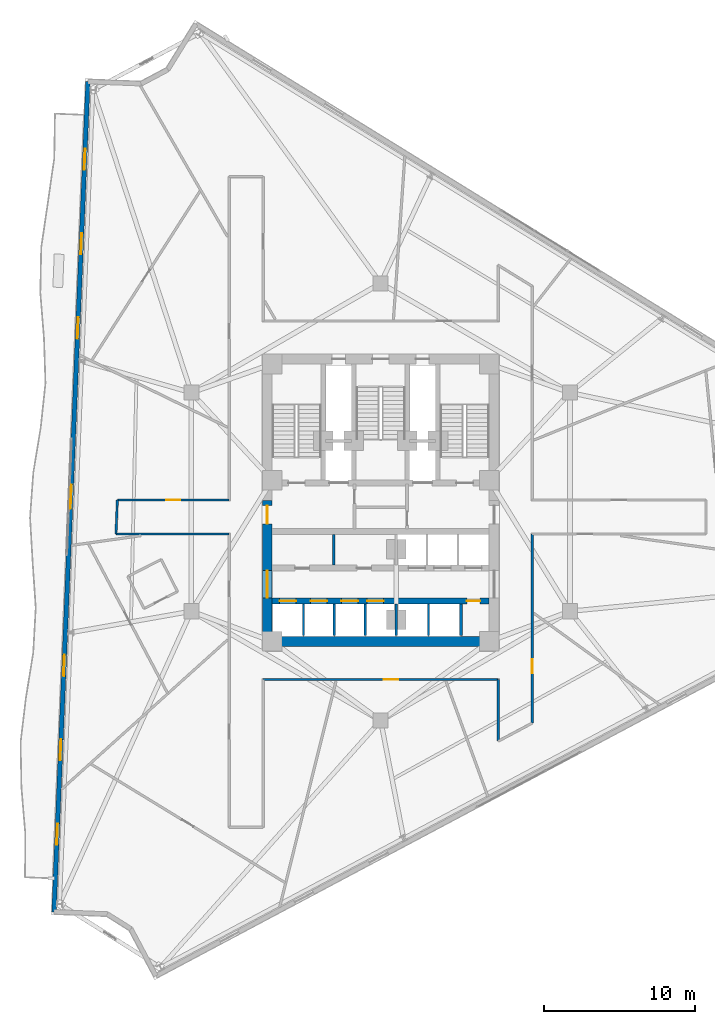
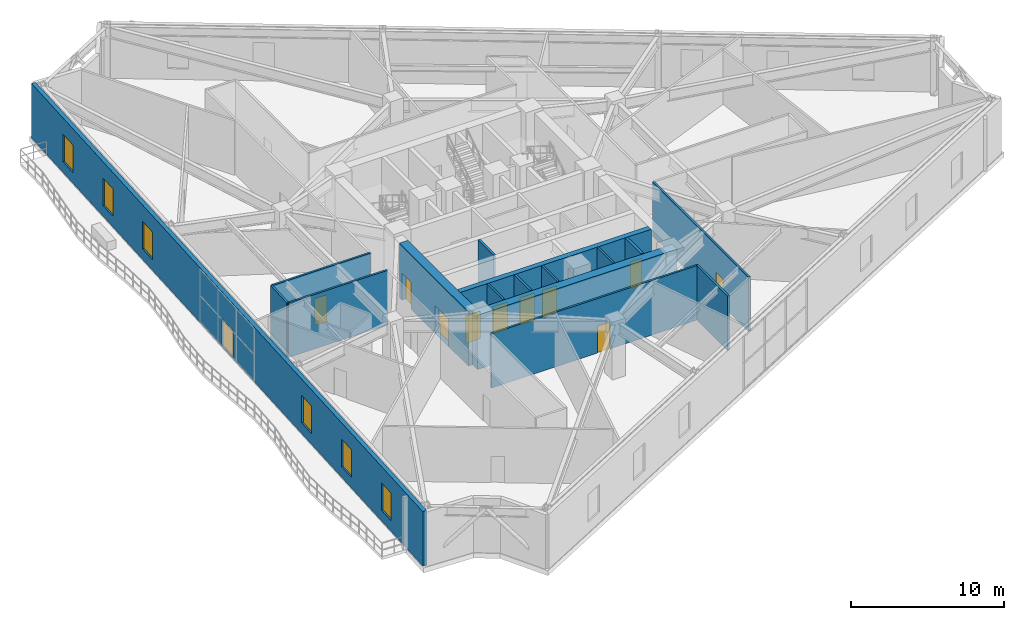
# One storey, part 17 of 22: 17 walls, 11 doors, 6 windows, 17 openings.
"""IFC4 building model written with IfcOpenShell, lengths in metres."""

from ifc_helpers import new_model, si_unit, direction, frame, frame_2d, origin, place, context, subcontext, project, spatial, rectangle, extrude, material, layer, layer_set, type_object, element, fill, save


model = new_model("IFC4")

# Units and contexts
model_context = context("Model", 3, precision=1e-05, world=origin(), true_north=direction((0.0, 1.0)))
body_context = subcontext(model_context, "Body", "Model", "MODEL_VIEW")
ifc_project = project(units=[si_unit("LENGTHUNIT", "METRE"), si_unit("AREAUNIT", "SQUARE_METRE"), si_unit("VOLUMEUNIT", "CUBIC_METRE"), si_unit("PLANEANGLEUNIT", "RADIAN"), si_unit("MASSUNIT", "GRAM", prefix="KILO")], contexts=[model_context])

# Site, building, storey
site_placement = place(None, origin())
site = spatial("IfcSite", under=ifc_project, at=site_placement, CompositionType="ELEMENT")
building_placement = place(site_placement, origin())
building = spatial("IfcBuilding", under=site, at=building_placement, Name="Apsidion Concourse Tower", CompositionType="ELEMENT")
storey_placement = place(building_placement, frame((0.0, 0.0, 160.89990234375)))
storey = spatial("IfcBuildingStorey", under=building, at=storey_placement, Name="L37", CompositionType="ELEMENT", Elevation=160.89990234375)

# Wall, openings, door, windows
ifc_material_1 = material(Name="Precast concrete C40/50", Category="concrete")
ifc_layer_1 = layer(ifc_material_1, 0.300048828125)
ifc_layer_set_1 = layer_set([ifc_layer_1], Name="Precast concrete C40/50")
wall_type_1 = type_object("IfcWallType", Name="WL-EXT-300", PredefinedType="STANDARD", material=ifc_layer_set_1)
wall_1_placement = place(storey_placement, frame((-21.66748046875, -27.184326171875, 0.0), z_axis=(0.0, 0.0, 1.0), x_axis=(0.040813869681, 0.999166766882, 0.0)))
wall_1 = element("IfcWall", 1, at=wall_1_placement, inside=storey, type_object=wall_type_1, Name="L37 Precast Stone Facade Wall 09", PredefinedType="STANDARD", context=body_context, shape_type="SweptSolid", body=[
    extrude(rectangle(XDim=55.1103515625, YDim=0.300048828125, at=frame_2d((27.55517578125, 0.0))), origin(), (0.0, 0.0, 1.0), 4.35009765625),
])
opening_1_placement = place(wall_1_placement, frame((26.75537109375, 0.0, 0.0)))
opening_1 = element("IfcOpeningElement", 2, at=opening_1_placement, cuts=wall_1, Name="Opening D-T2D", PredefinedType="OPENING", context=body_context, shape_type="SweptSolid", body=[
    extrude(rectangle(XDim=1.60009765625, YDim=2.199951171875, at=frame_2d((0.800048828125, 1.10009765625))), frame((0.0, 0.16015625, 0.0), z_axis=(0.0, -1.0, 0.0), x_axis=(1.0, 0.0, 0.0)), (0.0, 0.0, 1.0), 0.320068359375),
])
opening_2_placement = place(wall_1_placement, frame((4.455322265625, 0.0, 0.85009765625)))
opening_2 = element("IfcOpeningElement", 3, at=opening_2_placement, cuts=wall_1, Name="Opening WN-05", PredefinedType="OPENING", context=body_context, shape_type="SweptSolid", body=[
    extrude(rectangle(XDim=1.39990234375, YDim=2.199951171875, at=frame_2d((0.699951171875, 1.10009765625))), frame((0.0, 0.16015625, 0.0), z_axis=(0.0, -1.0, 0.0), x_axis=(1.0, 0.0, 0.0)), (0.0, 0.0, 1.0), 0.320068359375),
])
opening_3_placement = place(wall_1_placement, frame((10.055419921875, 0.0, 0.85009765625)))
opening_3 = element("IfcOpeningElement", 4, at=opening_3_placement, cuts=wall_1, Name="Opening WN-05", PredefinedType="OPENING", context=body_context, shape_type="SweptSolid", body=[
    extrude(rectangle(XDim=1.39990234375, YDim=2.199951171875, at=frame_2d((0.699951171875, 1.10009765625))), frame((0.0, 0.16015625, 0.0), z_axis=(0.0, -1.0, 0.0), x_axis=(1.0, 0.0, 0.0)), (0.0, 0.0, 1.0), 0.320068359375),
])
opening_4_placement = place(wall_1_placement, frame((15.6552734375, 0.0, 0.85009765625)))
opening_4 = element("IfcOpeningElement", 5, at=opening_4_placement, cuts=wall_1, Name="Opening WN-05", PredefinedType="OPENING", context=body_context, shape_type="SweptSolid", body=[
    extrude(rectangle(XDim=1.39990234375, YDim=2.199951171875, at=frame_2d((0.699951171875, 1.10009765625))), frame((0.0, 0.16015625, 0.0), z_axis=(0.0, -1.0, 0.0), x_axis=(1.0, 0.0, 0.0)), (0.0, 0.0, 1.0), 0.320068359375),
])
opening_5_placement = place(wall_1_placement, frame((38.055419921875, 0.0, 0.85009765625)))
opening_5 = element("IfcOpeningElement", 6, at=opening_5_placement, cuts=wall_1, Name="Opening WN-05", PredefinedType="OPENING", context=body_context, shape_type="SweptSolid", body=[
    extrude(rectangle(XDim=1.39990234375, YDim=2.199951171875, at=frame_2d((0.699951171875, 1.10009765625))), frame((0.0, 0.16015625, 0.0), z_axis=(0.0, -1.0, 0.0), x_axis=(1.0, 0.0, 0.0)), (0.0, 0.0, 1.0), 0.320068359375),
])
opening_6_placement = place(wall_1_placement, frame((43.6552734375, 0.0, 0.85009765625)))
opening_6 = element("IfcOpeningElement", 7, at=opening_6_placement, cuts=wall_1, Name="Opening WN-05", PredefinedType="OPENING", context=body_context, shape_type="SweptSolid", body=[
    extrude(rectangle(XDim=1.39990234375, YDim=2.199951171875, at=frame_2d((0.699951171875, 1.10009765625))), frame((0.0, 0.16015625, 0.0), z_axis=(0.0, -1.0, 0.0), x_axis=(1.0, 0.0, 0.0)), (0.0, 0.0, 1.0), 0.320068359375),
])
opening_7_placement = place(wall_1_placement, frame((49.25537109375, 0.0, 0.85009765625)))
opening_7 = element("IfcOpeningElement", 8, at=opening_7_placement, cuts=wall_1, Name="Opening WN-05", PredefinedType="OPENING", context=body_context, shape_type="SweptSolid", body=[
    extrude(rectangle(XDim=1.39990234375, YDim=2.199951171875, at=frame_2d((0.699951171875, 1.10009765625))), frame((0.0, 0.16015625, 0.0), z_axis=(0.0, -1.0, 0.0), x_axis=(1.0, 0.0, 0.0)), (0.0, 0.0, 1.0), 0.320068359375),
])
ifc_material_2 = material(Name="Anodised aluminium EN AW-6063 T6", Category="aluminium")
door_type_1 = type_object("IfcDoorType", Name="DR-TER-1622D", OperationType="DOUBLE_DOOR_SINGLE_SWING", PredefinedType="DOOR", material=ifc_material_2)
door_1_placement = place(opening_1_placement, origin())
door_1 = element("IfcDoor", 9, at=door_1_placement, inside=storey, type_object=door_type_1, Name="L37 Spiral Sky-Terrace Access Door 1", OperationType="DOUBLE_DOOR_SINGLE_SWING", OverallHeight=2.199951171875, OverallWidth=1.60009765625, PredefinedType="DOOR", context=body_context, shape_type="SweptSolid", body=[
    extrude(rectangle(XDim=1.60009765625, YDim=2.199951171875, at=frame_2d((0.800048828125, 1.10009765625))), frame((0.0, 0.02490234375, 0.0), z_axis=(0.0, -1.0, 0.0), x_axis=(1.0, 0.0, 0.0)), (0.0, 0.0, 1.0), 0.050048828125),
])
fill(opening_1, door_1)
ifc_material_3 = material(Name="Insulated laminated low-E glass", Category="glass")
window_type = type_object("IfcWindowType", Name="WN-OFF-1424", PartitioningType="SINGLE_PANEL", PredefinedType="WINDOW", material=ifc_material_3)
window_1_placement = place(opening_2_placement, origin())
window_1 = element("IfcWindow", 10, at=window_1_placement, inside=storey, type_object=window_type, Name="L37 Punched Facade Window 9-01", OverallHeight=2.199951171875, OverallWidth=1.39990234375, PartitioningType="SINGLE_PANEL", PredefinedType="WINDOW", context=body_context, shape_type="SweptSolid", body=[
    extrude(rectangle(XDim=1.39990234375, YDim=2.199951171875, at=frame_2d((0.699951171875, 1.10009765625))), frame((0.0, 0.030029296875, 0.0), z_axis=(0.0, -1.0, 0.0), x_axis=(1.0, 0.0, 0.0)), (0.0, 0.0, 1.0), 0.06005859375),
])
fill(opening_2, window_1)
window_2_placement = place(opening_3_placement, origin())
window_2 = element("IfcWindow", 11, at=window_2_placement, inside=storey, type_object=window_type, Name="L37 Punched Facade Window 9-02", OverallHeight=2.199951171875, OverallWidth=1.39990234375, PartitioningType="SINGLE_PANEL", PredefinedType="WINDOW", context=body_context, shape_type="SweptSolid", body=[
    extrude(rectangle(XDim=1.39990234375, YDim=2.199951171875, at=frame_2d((0.699951171875, 1.10009765625))), frame((0.0, 0.030029296875, 0.0), z_axis=(0.0, -1.0, 0.0), x_axis=(1.0, 0.0, 0.0)), (0.0, 0.0, 1.0), 0.06005859375),
])
fill(opening_3, window_2)
window_3_placement = place(opening_4_placement, origin())
window_3 = element("IfcWindow", 12, at=window_3_placement, inside=storey, type_object=window_type, Name="L37 Punched Facade Window 9-03", OverallHeight=2.199951171875, OverallWidth=1.39990234375, PartitioningType="SINGLE_PANEL", PredefinedType="WINDOW", context=body_context, shape_type="SweptSolid", body=[
    extrude(rectangle(XDim=1.39990234375, YDim=2.199951171875, at=frame_2d((0.699951171875, 1.10009765625))), frame((0.0, 0.030029296875, 0.0), z_axis=(0.0, -1.0, 0.0), x_axis=(1.0, 0.0, 0.0)), (0.0, 0.0, 1.0), 0.06005859375),
])
fill(opening_4, window_3)
window_4_placement = place(opening_5_placement, origin())
window_4 = element("IfcWindow", 13, at=window_4_placement, inside=storey, type_object=window_type, Name="L37 Punched Facade Window 9-07", OverallHeight=2.199951171875, OverallWidth=1.39990234375, PartitioningType="SINGLE_PANEL", PredefinedType="WINDOW", context=body_context, shape_type="SweptSolid", body=[
    extrude(rectangle(XDim=1.39990234375, YDim=2.199951171875, at=frame_2d((0.699951171875, 1.10009765625))), frame((0.0, 0.030029296875, 0.0), z_axis=(0.0, -1.0, 0.0), x_axis=(1.0, 0.0, 0.0)), (0.0, 0.0, 1.0), 0.06005859375),
])
fill(opening_5, window_4)
window_5_placement = place(opening_6_placement, origin())
window_5 = element("IfcWindow", 14, at=window_5_placement, inside=storey, type_object=window_type, Name="L37 Punched Facade Window 9-08", OverallHeight=2.199951171875, OverallWidth=1.39990234375, PartitioningType="SINGLE_PANEL", PredefinedType="WINDOW", context=body_context, shape_type="SweptSolid", body=[
    extrude(rectangle(XDim=1.39990234375, YDim=2.199951171875, at=frame_2d((0.699951171875, 1.10009765625))), frame((0.0, 0.030029296875, 0.0), z_axis=(0.0, -1.0, 0.0), x_axis=(1.0, 0.0, 0.0)), (0.0, 0.0, 1.0), 0.06005859375),
])
fill(opening_6, window_5)
window_6_placement = place(opening_7_placement, origin())
window_6 = element("IfcWindow", 15, at=window_6_placement, inside=storey, type_object=window_type, Name="L37 Punched Facade Window 9-09", OverallHeight=2.199951171875, OverallWidth=1.39990234375, PartitioningType="SINGLE_PANEL", PredefinedType="WINDOW", context=body_context, shape_type="SweptSolid", body=[
    extrude(rectangle(XDim=1.39990234375, YDim=2.199951171875, at=frame_2d((0.699951171875, 1.10009765625))), frame((0.0, 0.030029296875, 0.0), z_axis=(0.0, -1.0, 0.0), x_axis=(1.0, 0.0, 0.0)), (0.0, 0.0, 1.0), 0.06005859375),
])
fill(opening_7, window_6)

# Walls
ifc_material_4 = material(Name="Gypsum plasterboard partition")
ifc_layer_2 = layer(ifc_material_4, 0.14990234375)
ifc_layer_set_2 = layer_set([ifc_layer_2], Name="Gypsum plasterboard partition")
wall_type_2 = type_object("IfcWallType", Name="WL-INT-PAR-150", PredefinedType="PARTITIONING", material=ifc_layer_set_2)
wall_2_placement = place(storey_placement, frame((-3.1201171875, -4.179931640625, 0.0), z_axis=(0.0, 0.0, 1.0), x_axis=(0.0, 1.0, 0.0)))
element("IfcWall", 16, at=wall_2_placement, inside=storey, type_object=wall_type_2, Name="L37 Interior Partition WL-L37-B1RV1", PredefinedType="PARTITIONING", context=body_context, shape_type="SweptSolid", body=[
    extrude(rectangle(XDim=2.030029296875, YDim=0.14990234375, at=frame_2d((1.01513671875, 0.0))), origin(), (0.0, 0.0, 1.0), 4.35009765625),
])
for number, where, z_axis, x_axis, name in (
    (17, (-5.125, -8.85009765625, 0.0), (0.0, 0.0, 1.0), (0.0, 1.0, 0.0), "L37 Interior Partition WL-L37-B2DIV-1"),
    (18, (-3.074951171875, -8.85009765625, 0.0), (0.0, 0.0, 1.0), (0.0, 1.0, 0.0), "L37 Interior Partition WL-L37-B2DIV-2"),
    (19, (-1.02490234375, -8.85009765625, 0.0), (0.0, 0.0, 1.0), (0.0, 1.0, 0.0), "L37 Interior Partition WL-L37-B2DIV-3"),
    (20, (3.175048828125, -8.85009765625, 0.0), (0.0, 0.0, 1.0), (0.0, 1.0, 0.0), "L37 Interior Partition WL-L37-SHDIV-1"),
):
    element("IfcWall", number, at=place(storey_placement, frame(where, z_axis=z_axis, x_axis=x_axis)), inside=storey, type_object=wall_type_2, Name=name, PredefinedType="PARTITIONING", context=body_context, shape_type="SweptSolid", body=[
        extrude(rectangle(XDim=2.080078125, YDim=0.14990234375, at=frame_2d((1.0400390625, 0.0))), origin(), (0.0, 0.0, 1.0), 4.35009765625),
    ])
wall_3_placement = place(storey_placement, frame((7.7900390625, -15.87060546875, 0.0), z_axis=(0.0, 0.0, 1.0), x_axis=(0.0, 1.0, 0.0)))
element("IfcWall", 21, at=wall_3_placement, inside=storey, type_object=wall_type_2, Name="L37 Interior Partition WL-L37-CORR-02", PredefinedType="PARTITIONING", context=body_context, shape_type="SweptSolid", body=[
    extrude(rectangle(XDim=4.095703125, YDim=0.14990234375, at=frame_2d((2.0478515625, 0.0))), origin(), (0.0, 0.0, 1.0), 4.35009765625),
])

# Wall, opening, door
wall_4_placement = place(storey_placement, frame((7.7900390625, -11.77490234375, 0.0), z_axis=(0.0, 0.0, 1.0), x_axis=(-1.0, 0.0, 0.0)))
wall_4 = element("IfcWall", 22, at=wall_4_placement, inside=storey, type_object=wall_type_2, Name="L37 Interior Partition WL-L37-CORR-03", PredefinedType="PARTITIONING", context=body_context, shape_type="SweptSolid", body=[
    extrude(rectangle(XDim=15.580078125, YDim=0.14990234375, at=frame_2d((7.7900390625, 0.0))), origin(), (0.0, 0.0, 1.0), 4.35009765625),
])
opening_8_placement = place(wall_4_placement, frame((6.6357421875, 0.0, 0.0)))
opening_8 = element("IfcOpeningElement", 23, at=opening_8_placement, cuts=wall_4, Name="Opening D-01L", PredefinedType="OPENING", context=body_context, shape_type="SweptSolid", body=[
    extrude(rectangle(XDim=0.949951171875, YDim=2.14990234375, at=frame_2d((0.47509765625, 1.074951171875))), frame((0.0, 0.0849609375, 0.0), z_axis=(0.0, -1.0, 0.0), x_axis=(1.0, 0.0, 0.0)), (0.0, 0.0, 1.0), 0.169921875),
])
ifc_material_5 = material(Name="Brushed stainless steel 316", Category="steel")
door_type_2 = type_object("IfcDoorType", Name="DR-INT-D01L", OperationType="SINGLE_SWING_LEFT", PredefinedType="DOOR", material=ifc_material_5)
door_2_placement = place(opening_8_placement, origin())
door_2 = element("IfcDoor", 24, at=door_2_placement, inside=storey, type_object=door_type_2, Name="L37 Corridor Entry Door 03", OperationType="SINGLE_SWING_LEFT", OverallHeight=2.14990234375, OverallWidth=0.949951171875, PredefinedType="DOOR", context=body_context, shape_type="SweptSolid", body=[
    extrude(rectangle(XDim=0.949951171875, YDim=2.14990234375, at=frame_2d((0.47509765625, 1.074951171875))), frame((0.0, 0.02490234375, 0.0), z_axis=(0.0, -1.0, 0.0), x_axis=(1.0, 0.0, 0.0)), (0.0, 0.0, 1.0), 0.050048828125),
])
fill(opening_8, door_2)

# Walls
wall_5_placement = place(storey_placement, frame((-10.050048828125, -2.1298828125, 0.0), z_axis=(0.0, 0.0, 1.0), x_axis=(-1.0, 0.0, 0.0)))
element("IfcWall", 25, at=wall_5_placement, inside=storey, type_object=wall_type_2, Name="L37 Interior Partition WL-L37-CORR-07", PredefinedType="PARTITIONING", context=body_context, shape_type="SweptSolid", body=[
    extrude(rectangle(XDim=7.50634765625, YDim=0.14990234375, at=frame_2d((3.753173828125, 0.0))), origin(), (0.0, 0.0, 1.0), 4.35009765625),
])
wall_6_placement = place(storey_placement, frame((-17.556396484375, -2.1298828125, 0.0), z_axis=(0.0, 0.0, 1.0), x_axis=(0.040804363078, 0.999167155162, 0.0)))
element("IfcWall", 26, at=wall_6_placement, inside=storey, type_object=wall_type_2, Name="L37 Interior Partition WL-L37-CORR-08", PredefinedType="PARTITIONING", context=body_context, shape_type="SweptSolid", body=[
    extrude(rectangle(XDim=2.26171875, YDim=0.14990234375, at=frame_2d((1.130859375, 0.0))), origin(), (0.0, 0.0, 1.0), 4.35009765625),
])

# Wall, opening, door
wall_7_placement = place(storey_placement, frame((-17.464111328125, 0.1298828125, 0.0), z_axis=(0.0, 0.0, 1.0), x_axis=(1.0, 0.0, 0.0)))
wall_7 = element("IfcWall", 27, at=wall_7_placement, inside=storey, type_object=wall_type_2, Name="L37 Interior Partition WL-L37-CORR-09", PredefinedType="PARTITIONING", context=body_context, shape_type="SweptSolid", body=[
    extrude(rectangle(XDim=7.4140625, YDim=0.14990234375, at=frame_2d((3.70703125, 0.0))), origin(), (0.0, 0.0, 1.0), 4.35009765625),
])
opening_9_placement = place(wall_7_placement, frame((3.232177734375, 0.0, 0.0)))
opening_9 = element("IfcOpeningElement", 28, at=opening_9_placement, cuts=wall_7, Name="Opening D-01L", PredefinedType="OPENING", context=body_context, shape_type="SweptSolid", body=[
    extrude(rectangle(XDim=0.949951171875, YDim=2.14990234375, at=frame_2d((0.47509765625, 1.074951171875))), frame((0.0, 0.0849609375, 0.0), z_axis=(0.0, -1.0, 0.0), x_axis=(1.0, 0.0, 0.0)), (0.0, 0.0, 1.0), 0.169921875),
])
door_3_placement = place(opening_9_placement, origin())
door_3 = element("IfcDoor", 29, at=door_3_placement, inside=storey, type_object=door_type_2, Name="L37 Corridor Entry Door 11", OperationType="SINGLE_SWING_LEFT", OverallHeight=2.14990234375, OverallWidth=0.949951171875, PredefinedType="DOOR", context=body_context, shape_type="SweptSolid", body=[
    extrude(rectangle(XDim=0.949951171875, YDim=2.14990234375, at=frame_2d((0.47509765625, 1.074951171875))), frame((0.0, 0.02490234375, 0.0), z_axis=(0.0, -1.0, 0.0), x_axis=(1.0, 0.0, 0.0)), (0.0, 0.0, 1.0), 0.050048828125),
])
fill(opening_9, door_3)

wall_8_placement = place(storey_placement, frame((10.050048828125, -2.1298828125, 0.0), z_axis=(0.0, 0.0, 1.0), x_axis=(0.0, -1.0, 0.0)))
wall_8 = element("IfcWall", 30, at=wall_8_placement, inside=storey, type_object=wall_type_2, Name="L37 Interior Partition WL-L37-CORR-20", PredefinedType="PARTITIONING", context=body_context, shape_type="SweptSolid", body=[
    extrude(rectangle(XDim=12.5390625, YDim=0.14990234375, at=frame_2d((6.26953125, 0.0))), origin(), (0.0, 0.0, 1.0), 4.35009765625),
])
opening_10_placement = place(wall_8_placement, frame((8.292236328125, 0.0, 0.0)))
opening_10 = element("IfcOpeningElement", 31, at=opening_10_placement, cuts=wall_8, Name="Opening D-01R", PredefinedType="OPENING", context=body_context, shape_type="SweptSolid", body=[
    extrude(rectangle(XDim=0.949951171875, YDim=2.14990234375, at=frame_2d((0.47509765625, 1.074951171875))), frame((0.0, 0.0849609375, 0.0), z_axis=(0.0, -1.0, 0.0), x_axis=(1.0, 0.0, 0.0)), (0.0, 0.0, 1.0), 0.169921875),
])
door_type_3 = type_object("IfcDoorType", Name="DR-INT-D01R", OperationType="SINGLE_SWING_RIGHT", PredefinedType="DOOR", material=ifc_material_5)
door_4_placement = place(opening_10_placement, origin())
door_4 = element("IfcDoor", 32, at=door_4_placement, inside=storey, type_object=door_type_3, Name="L37 Corridor Entry Door 04", OperationType="SINGLE_SWING_RIGHT", OverallHeight=2.14990234375, OverallWidth=0.949951171875, PredefinedType="DOOR", context=body_context, shape_type="SweptSolid", body=[
    extrude(rectangle(XDim=0.949951171875, YDim=2.14990234375, at=frame_2d((0.47509765625, 1.074951171875))), frame((0.0, 0.02490234375, 0.0), z_axis=(0.0, -1.0, 0.0), x_axis=(1.0, 0.0, 0.0)), (0.0, 0.0, 1.0), 0.050048828125),
])
fill(opening_10, door_4)

# Walls
ifc_layer_3 = layer(ifc_material_4, 0.179931640625)
ifc_layer_set_3 = layer_set([ifc_layer_3], Name="Gypsum plasterboard partition")
wall_type_3 = type_object("IfcWallType", Name="WL-INT-PAR-180", PredefinedType="PARTITIONING", material=ifc_layer_set_3)
wall_9_placement = place(storey_placement, frame((1.02490234375, -8.85009765625, 0.0), z_axis=(0.0, 0.0, 1.0), x_axis=(0.0, 1.0, 0.0)))
element("IfcWall", 33, at=wall_9_placement, inside=storey, type_object=wall_type_3, Name="L37 Interior Partition WL-L37-B2END", PredefinedType="PARTITIONING", context=body_context, shape_type="SweptSolid", body=[
    extrude(rectangle(XDim=2.080078125, YDim=0.179931640625, at=frame_2d((1.0400390625, 0.0))), origin(), (0.0, 0.0, 1.0), 3.398193359375),
])
wall_10_placement = place(storey_placement, frame((5.324951171875, -8.85009765625, 0.0), z_axis=(0.0, 0.0, 1.0), x_axis=(0.0, 1.0, 0.0)))
element("IfcWall", 34, at=wall_10_placement, inside=storey, type_object=wall_type_3, Name="L37 Interior Partition WL-L37-SHDIV-2", PredefinedType="PARTITIONING", context=body_context, shape_type="SweptSolid", body=[
    extrude(rectangle(XDim=2.080078125, YDim=0.179931640625, at=frame_2d((1.0400390625, 0.0))), origin(), (0.0, 0.0, 1.0), 4.35009765625),
])

# Wall, openings, doors
ifc_material_6 = material(Name="Concrete C50/60", Category="concrete")
ifc_layer_4 = layer(ifc_material_6, 0.39990234375)
ifc_layer_set_4 = layer_set([ifc_layer_4], Name="Concrete C50/60")
wall_type_4 = type_object("IfcWallType", Name="WL-SH-400", PredefinedType="SHEAR", material=ifc_layer_set_4)
wall_11_placement = place(storey_placement, frame((-7.199951171875, -6.570068359375, 0.0), z_axis=(0.0, 0.0, 1.0), x_axis=(1.0, 0.0, 0.0)))
wall_11 = element("IfcWall", 35, at=wall_11_placement, inside=storey, type_object=wall_type_4, Name="L37 Central Core Shear Wall LB", PredefinedType="SHEAR", context=body_context, shape_type="SweptSolid", body=[
    extrude(rectangle(XDim=14.39990234375, YDim=0.39990234375, at=frame_2d((7.199951171875, 0.0))), origin(), (0.0, 0.0, 1.0), 4.35009765625),
])
opening_11_placement = place(wall_11_placement, frame((0.5, 0.0, 0.0)))
opening_11 = element("IfcOpeningElement", 36, at=opening_11_placement, cuts=wall_11, Name="Opening LD-P1", PredefinedType="OPENING", context=body_context, shape_type="SweptSolid", body=[
    extrude(rectangle(XDim=1.10009765625, YDim=2.199951171875, at=frame_2d((0.550048828125, 1.10009765625))), frame((0.0, 0.2099609375, 0.0), z_axis=(0.0, -1.0, 0.0), x_axis=(1.0, 0.0, 0.0)), (0.0, 0.0, 1.0), 0.419921875),
])
opening_12_placement = place(wall_11_placement, frame((2.550048828125, 0.0, 0.0)))
opening_12 = element("IfcOpeningElement", 37, at=opening_12_placement, cuts=wall_11, Name="Opening LD-P1", PredefinedType="OPENING", context=body_context, shape_type="SweptSolid", body=[
    extrude(rectangle(XDim=1.10009765625, YDim=2.199951171875, at=frame_2d((0.550048828125, 1.10009765625))), frame((0.0, 0.2099609375, 0.0), z_axis=(0.0, -1.0, 0.0), x_axis=(1.0, 0.0, 0.0)), (0.0, 0.0, 1.0), 0.419921875),
])
opening_13_placement = place(wall_11_placement, frame((4.60009765625, 0.0, 0.0)))
opening_13 = element("IfcOpeningElement", 38, at=opening_13_placement, cuts=wall_11, Name="Opening LD-P1", PredefinedType="OPENING", context=body_context, shape_type="SweptSolid", body=[
    extrude(rectangle(XDim=1.10009765625, YDim=2.199951171875, at=frame_2d((0.550048828125, 1.10009765625))), frame((0.0, 0.2099609375, 0.0), z_axis=(0.0, -1.0, 0.0), x_axis=(1.0, 0.0, 0.0)), (0.0, 0.0, 1.0), 0.419921875),
])
opening_14_placement = place(wall_11_placement, frame((6.300048828125, 0.0, 0.0)))
opening_14 = element("IfcOpeningElement", 39, at=opening_14_placement, cuts=wall_11, Name="Opening LD-P1", PredefinedType="OPENING", context=body_context, shape_type="SweptSolid", body=[
    extrude(rectangle(XDim=1.10009765625, YDim=2.199951171875, at=frame_2d((0.550048828125, 1.10009765625))), frame((0.0, 0.2099609375, 0.0), z_axis=(0.0, -1.0, 0.0), x_axis=(1.0, 0.0, 0.0)), (0.0, 0.0, 1.0), 0.419921875),
])
opening_15_placement = place(wall_11_placement, frame((12.909912109375, 0.0, 0.0)))
opening_15 = element("IfcOpeningElement", 40, at=opening_15_placement, cuts=wall_11, Name="Opening D-05L", PredefinedType="OPENING", context=body_context, shape_type="SweptSolid", body=[
    extrude(rectangle(XDim=0.8798828125, YDim=2.14990234375, at=frame_2d((0.43994140625, 1.074951171875))), frame((0.0, 0.2099609375, 0.0), z_axis=(0.0, -1.0, 0.0), x_axis=(1.0, 0.0, 0.0)), (0.0, 0.0, 1.0), 0.419921875),
])
door_type_4 = type_object("IfcDoorType", Name="DR-INT-D05L", OperationType="SINGLE_SWING_LEFT", PredefinedType="DOOR", material=ifc_material_5)
door_5_placement = place(opening_15_placement, origin())
door_5 = element("IfcDoor", 41, at=door_5_placement, inside=storey, type_object=door_type_4, Name="L37 Cleaners Store Door", OperationType="SINGLE_SWING_LEFT", OverallHeight=2.14990234375, OverallWidth=0.8798828125, PredefinedType="DOOR", context=body_context, shape_type="SweptSolid", body=[
    extrude(rectangle(XDim=0.8798828125, YDim=2.14990234375, at=frame_2d((0.43994140625, 1.074951171875))), frame((0.0, 0.02490234375, 0.0), z_axis=(0.0, -1.0, 0.0), x_axis=(1.0, 0.0, 0.0)), (0.0, 0.0, 1.0), 0.050048828125),
])
fill(opening_15, door_5)
door_type_5 = type_object("IfcDoorType", Name="DR-LD-PASS", OperationType="DOUBLE_DOOR_SLIDING", PredefinedType="DOOR", material=ifc_material_5)
door_6_placement = place(opening_11_placement, origin())
door_6 = element("IfcDoor", 42, at=door_6_placement, inside=storey, type_object=door_type_5, Name="L37 Lift Landing Door P5", OperationType="DOUBLE_DOOR_SLIDING", OverallHeight=2.199951171875, OverallWidth=1.10009765625, PredefinedType="DOOR", context=body_context, shape_type="SweptSolid", body=[
    extrude(rectangle(XDim=1.10009765625, YDim=2.199951171875, at=frame_2d((0.550048828125, 1.10009765625))), frame((0.0, 0.02490234375, 0.0), z_axis=(0.0, -1.0, 0.0), x_axis=(1.0, 0.0, 0.0)), (0.0, 0.0, 1.0), 0.050048828125),
])
fill(opening_11, door_6)
door_7_placement = place(opening_12_placement, origin())
door_7 = element("IfcDoor", 43, at=door_7_placement, inside=storey, type_object=door_type_5, Name="L37 Lift Landing Door P6", OperationType="DOUBLE_DOOR_SLIDING", OverallHeight=2.199951171875, OverallWidth=1.10009765625, PredefinedType="DOOR", context=body_context, shape_type="SweptSolid", body=[
    extrude(rectangle(XDim=1.10009765625, YDim=2.199951171875, at=frame_2d((0.550048828125, 1.10009765625))), frame((0.0, 0.02490234375, 0.0), z_axis=(0.0, -1.0, 0.0), x_axis=(1.0, 0.0, 0.0)), (0.0, 0.0, 1.0), 0.050048828125),
])
fill(opening_12, door_7)
door_8_placement = place(opening_13_placement, origin())
door_8 = element("IfcDoor", 44, at=door_8_placement, inside=storey, type_object=door_type_5, Name="L37 Lift Landing Door P7", OperationType="DOUBLE_DOOR_SLIDING", OverallHeight=2.199951171875, OverallWidth=1.10009765625, PredefinedType="DOOR", context=body_context, shape_type="SweptSolid", body=[
    extrude(rectangle(XDim=1.10009765625, YDim=2.199951171875, at=frame_2d((0.550048828125, 1.10009765625))), frame((0.0, 0.02490234375, 0.0), z_axis=(0.0, -1.0, 0.0), x_axis=(1.0, 0.0, 0.0)), (0.0, 0.0, 1.0), 0.050048828125),
])
fill(opening_13, door_8)
door_9_placement = place(opening_14_placement, origin())
door_9 = element("IfcDoor", 45, at=door_9_placement, inside=storey, type_object=door_type_5, Name="L37 Lift Landing Door P8", OperationType="DOUBLE_DOOR_SLIDING", OverallHeight=2.199951171875, OverallWidth=1.10009765625, PredefinedType="DOOR", context=body_context, shape_type="SweptSolid", body=[
    extrude(rectangle(XDim=1.10009765625, YDim=2.199951171875, at=frame_2d((0.550048828125, 1.10009765625))), frame((0.0, 0.02490234375, 0.0), z_axis=(0.0, -1.0, 0.0), x_axis=(1.0, 0.0, 0.0)), (0.0, 0.0, 1.0), 0.050048828125),
])
fill(opening_14, door_9)

ifc_layer_5 = layer(ifc_material_6, 0.64990234375)
ifc_layer_set_5 = layer_set([ifc_layer_5], Name="Concrete C50/60")
wall_type_5 = type_object("IfcWallType", Name="WL-SH-650", PredefinedType="SHEAR", material=ifc_layer_set_5)
wall_12_placement = place(storey_placement, frame((-7.52490234375, -8.925048828125, 0.0), z_axis=(0.0, 0.0, 1.0), x_axis=(0.0, 1.0, 0.0)))
wall_12 = element("IfcWall", 46, at=wall_12_placement, inside=storey, type_object=wall_type_5, Name="L37 Central Core Shear Wall WS", PredefinedType="SHEAR", context=body_context, shape_type="SweptSolid", body=[
    extrude(rectangle(XDim=9.025146484375, YDim=0.64990234375, at=frame_2d((4.5126953125, 0.0))), origin(), (0.0, 0.0, 1.0), 4.35009765625),
])
opening_16_placement = place(wall_12_placement, frame((2.56494140625, 0.0, 0.0)))
opening_16 = element("IfcOpeningElement", 47, at=opening_16_placement, cuts=wall_12, Name="Opening D-06D", PredefinedType="OPENING", context=body_context, shape_type="SweptSolid", body=[
    extrude(rectangle(XDim=1.800048828125, YDim=2.199951171875, at=frame_2d((0.89990234375, 1.10009765625))), frame((0.0, 0.3349609375, 0.0), z_axis=(0.0, -1.0, 0.0), x_axis=(1.0, 0.0, 0.0)), (0.0, 0.0, 1.0), 0.669921875),
])
opening_17_placement = place(wall_12_placement, frame((7.47509765625, 0.0, 0.0)))
opening_17 = element("IfcOpeningElement", 48, at=opening_17_placement, cuts=wall_12, Name="Opening D-FFL", PredefinedType="OPENING", context=body_context, shape_type="SweptSolid", body=[
    extrude(rectangle(XDim=1.199951171875, YDim=2.14990234375, at=frame_2d((0.60009765625, 1.074951171875))), frame((0.0, 0.3349609375, 0.0), z_axis=(0.0, -1.0, 0.0), x_axis=(1.0, 0.0, 0.0)), (0.0, 0.0, 1.0), 0.669921875),
])
door_type_6 = type_object("IfcDoorType", Name="DR-INT-D06D", OperationType="DOUBLE_DOOR_SINGLE_SWING", PredefinedType="DOOR", material=ifc_material_5)
door_10_placement = place(opening_16_placement, origin())
door_10 = element("IfcDoor", 49, at=door_10_placement, inside=storey, type_object=door_type_6, Name="L37 Passenger Lift Lobby WS Portal Door", OperationType="DOUBLE_DOOR_SINGLE_SWING", OverallHeight=2.199951171875, OverallWidth=1.800048828125, PredefinedType="DOOR", context=body_context, shape_type="SweptSolid", body=[
    extrude(rectangle(XDim=1.800048828125, YDim=2.199951171875, at=frame_2d((0.89990234375, 1.10009765625))), frame((0.0, 0.02490234375, 0.0), z_axis=(0.0, -1.0, 0.0), x_axis=(1.0, 0.0, 0.0)), (0.0, 0.0, 1.0), 0.050048828125),
])
fill(opening_16, door_10)
door_type_7 = type_object("IfcDoorType", Name="DR-INT-FFL", OperationType="SINGLE_SWING_LEFT", PredefinedType="DOOR", material=ifc_material_5)
door_11_placement = place(opening_17_placement, origin())
door_11 = element("IfcDoor", 50, at=door_11_placement, inside=storey, type_object=door_type_7, Name="L37 Firefighting Lift Lobby FF1 Door", OperationType="SINGLE_SWING_LEFT", OverallHeight=2.14990234375, OverallWidth=1.199951171875, PredefinedType="DOOR", context=body_context, shape_type="SweptSolid", body=[
    extrude(rectangle(XDim=1.199951171875, YDim=2.14990234375, at=frame_2d((0.60009765625, 1.074951171875))), frame((0.0, 0.02490234375, 0.0), z_axis=(0.0, -1.0, 0.0), x_axis=(1.0, 0.0, 0.0)), (0.0, 0.0, 1.0), 0.050048828125),
])
fill(opening_17, door_11)

# Wall
wall_13_placement = place(storey_placement, frame((-7.52490234375, -9.25, 0.0), z_axis=(0.0, 0.0, 1.0), x_axis=(1.0, 0.0, 0.0)))
element("IfcWall", 51, at=wall_13_placement, inside=storey, type_object=wall_type_5, Name="L37 Central Core Shear Wall S", PredefinedType="SHEAR", context=body_context, shape_type="SweptSolid", body=[
    extrude(rectangle(XDim=15.0498046875, YDim=0.64990234375, at=frame_2d((7.52490234375, 0.0))), origin(), (0.0, 0.0, 1.0), 4.35009765625),
])

save(model, "model.ifc")
